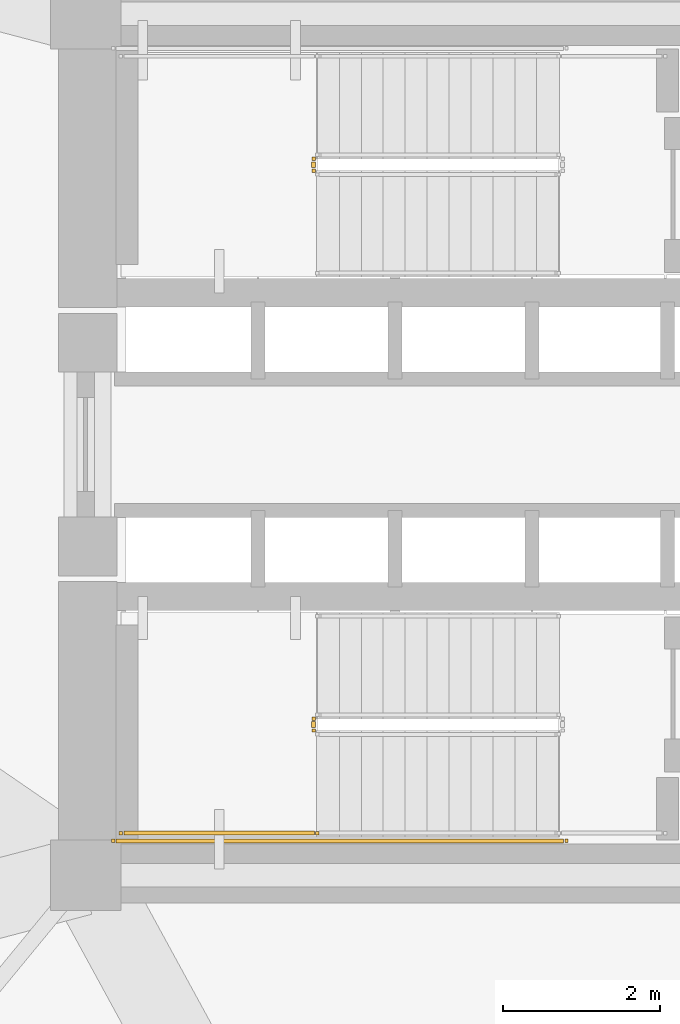
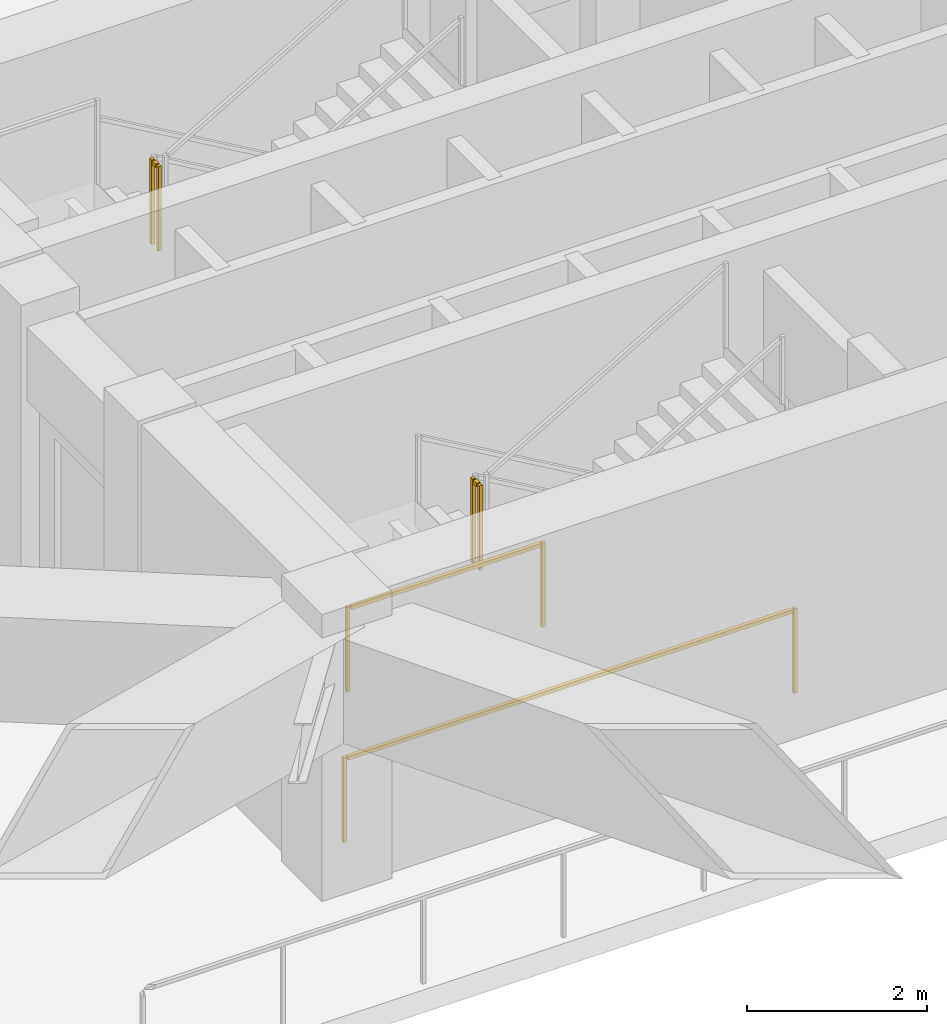
# One storey, part 9 of 16: 4 railings.
"""IFC4 building model written with IfcOpenShell, lengths in metres."""

from ifc_helpers import new_model, si_unit, direction, frame, origin, origin_2d, place, context, subcontext, project, spatial, rectangle, extrude, material, type_object, element, save


model = new_model("IFC4")

# Units and contexts
model_context = context("Model", 3, precision=1e-05, world=origin(), true_north=direction((0.0, 1.0)))
body_context = subcontext(model_context, "Body", "Model", "MODEL_VIEW")
ifc_project = project(units=[si_unit("LENGTHUNIT", "METRE"), si_unit("AREAUNIT", "SQUARE_METRE"), si_unit("VOLUMEUNIT", "CUBIC_METRE"), si_unit("PLANEANGLEUNIT", "RADIAN"), si_unit("MASSUNIT", "GRAM", prefix="KILO")], contexts=[model_context])

# Site, building, storey
site_placement = place(None, origin())
site = spatial("IfcSite", under=ifc_project, at=site_placement, CompositionType="ELEMENT")
building_placement = place(site_placement, origin())
building = spatial("IfcBuilding", under=site, at=building_placement, Name="Yunling Apex Tower", CompositionType="ELEMENT")
storey_placement = place(building_placement, frame((0.0, 0.0, 16.199951171875)))
storey = spatial("IfcBuildingStorey", under=building, at=storey_placement, Name="L05", CompositionType="ELEMENT", Elevation=16.199951171875)

# Railings
ifc_material = material(Name="Steel Q355B", Category="steel")
railing_type = type_object("IfcRailingType", Name="RL-GRD-1150", PredefinedType="GUARDRAIL", material=ifc_material)
for number, where, name in (
    (1, (-3.139892578125, 3.64990234375, 1.949951171875), "L05 ST-1 stair guard 2"),
    (2, (-3.139892578125, -3.5, 1.949951171875), "L05 ST-2 stair guard 2"),
):
    element("IfcRailing", number, at=place(storey_placement, frame(where)), inside=storey, type_object=railing_type, Name=name, PredefinedType="GUARDRAIL", context=body_context, shape_type="SweptSolid", body=[
        extrude(rectangle(XDim=0.0439453125, YDim=0.0439453125, at=origin_2d()), origin(), (0.0, 0.0, 1.0), 1.14990234375),
        extrude(rectangle(XDim=0.0439453125, YDim=0.0439453125, at=origin_2d()), frame((0.0, -0.14990234375, 0.0)), (0.0, 0.0, 1.0), 1.14990234375),
        extrude(rectangle(XDim=0.050048828125, YDim=0.050048828125, at=origin_2d()), frame((0.0, -0.038330078125, 1.125), z_axis=(0.0, -1.0, 0.0), x_axis=(1.0, 0.0, 0.0)), (0.0, 0.0, 1.0), 0.0732421875),
    ])
railing_1_placement = place(storey_placement, frame((-3.090087890625, -4.9599609375, 1.949951171875)))
element("IfcRailing", 3, at=railing_1_placement, inside=storey, type_object=railing_type, Name="L05 ST-2 stair guard 3", PredefinedType="GUARDRAIL", context=body_context, shape_type="SweptSolid", body=[
    extrude(rectangle(XDim=0.0439453125, YDim=0.0439453125, at=origin_2d()), origin(), (0.0, 0.0, 1.0), 1.14990234375),
    extrude(rectangle(XDim=0.0439453125, YDim=0.0439453125, at=origin_2d()), frame((-2.510009765625, 0.0, 0.0)), (0.0, 0.0, 1.0), 1.14990234375),
    extrude(rectangle(XDim=0.050048828125, YDim=0.050048828125, at=origin_2d()), frame((-0.038330078125, 0.0, 1.125), z_axis=(-1.0, 0.0, 0.0), x_axis=(0.0, -1.0, 0.0)), (0.0, 0.0, 1.0), 2.433349609375),
])
railing_2_placement = place(storey_placement, frame((0.090087890625, -5.06005859375, 0.0)))
element("IfcRailing", 4, at=railing_2_placement, inside=storey, type_object=railing_type, Name="L05 ST-2 stair guard 7", PredefinedType="GUARDRAIL", context=body_context, shape_type="SweptSolid", body=[
    extrude(rectangle(XDim=0.0439453125, YDim=0.0439453125, at=origin_2d()), origin(), (0.0, 0.0, 1.0), 1.14990234375),
    extrude(rectangle(XDim=0.0439453125, YDim=0.0439453125, at=origin_2d()), frame((-5.7900390625, 0.0, 0.0)), (0.0, 0.0, 1.0), 1.14990234375),
    extrude(rectangle(XDim=0.050048828125, YDim=0.050048828125, at=origin_2d()), frame((-0.038330078125, 0.0, 1.125), z_axis=(-1.0, 0.0, 0.0), x_axis=(0.0, -1.0, 0.0)), (0.0, 0.0, 1.0), 5.71337890625),
])

save(model, "model.ifc")
